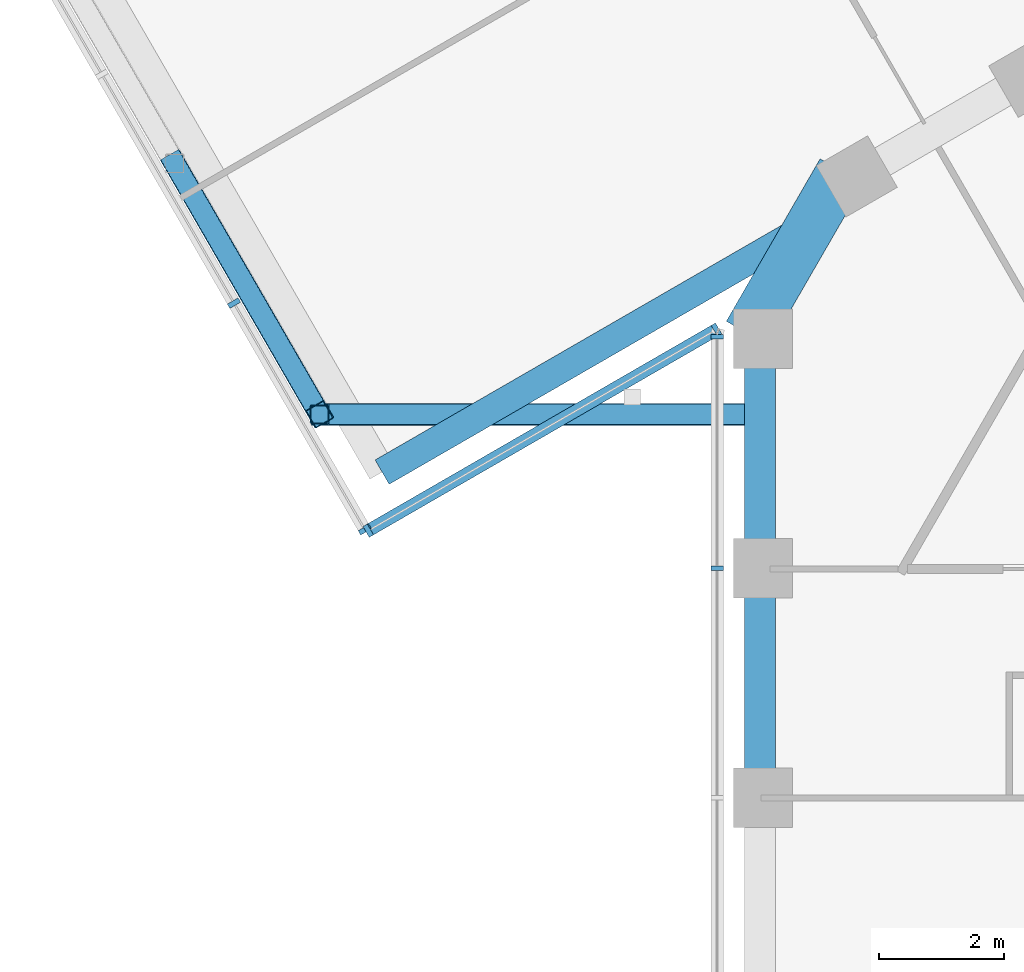
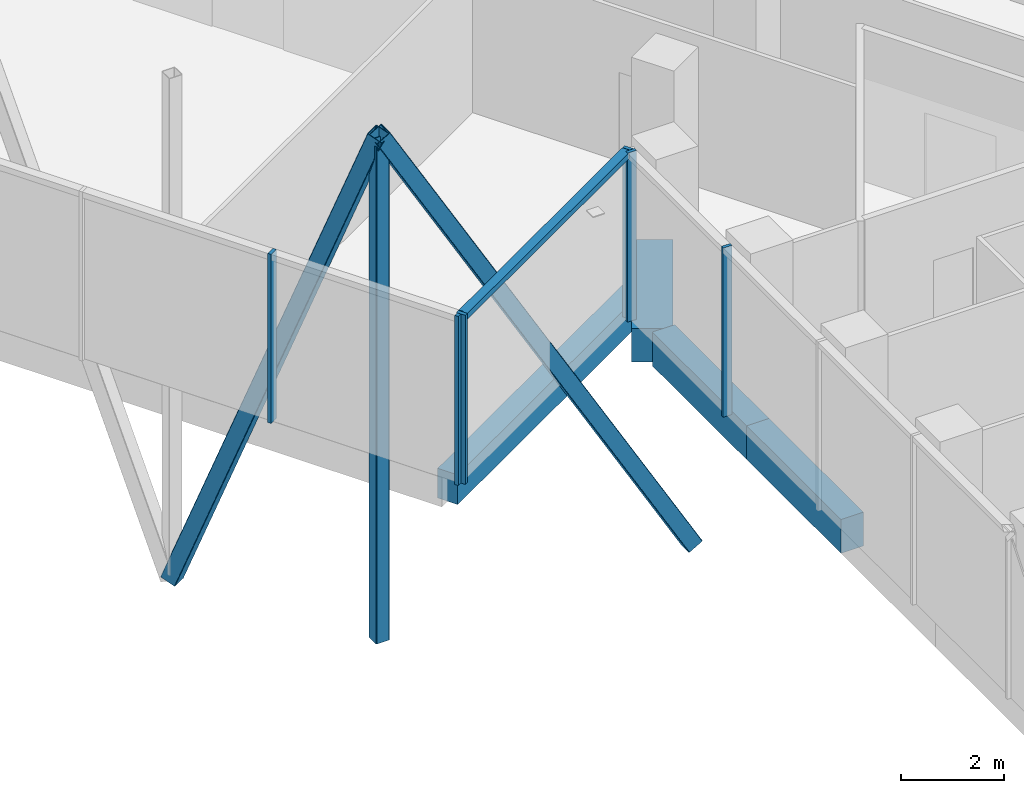
# One storey, part 3 of 21: 10 members, 4 beams, 3 elements without a shape of their own.
"""IFC4 building model written with IfcOpenShell, lengths in metres."""

from ifc_helpers import new_model, si_unit, direction, frame, origin, origin_2d, place, context, subcontext, project, spatial, rectangle, hollow_rectangle, extrude, material, layer, layer_set, material_profile, profile_set, type_object, element, aggregate, save


model = new_model("IFC4")

# Units and contexts
model_context = context("Model", 3, precision=1e-05, world=origin(), true_north=direction((0.0, 1.0)))
body_context = subcontext(model_context, "Body", "Model", "MODEL_VIEW")
ifc_project = project(units=[si_unit("LENGTHUNIT", "METRE"), si_unit("AREAUNIT", "SQUARE_METRE"), si_unit("VOLUMEUNIT", "CUBIC_METRE"), si_unit("PLANEANGLEUNIT", "RADIAN"), si_unit("MASSUNIT", "GRAM", prefix="KILO")], contexts=[model_context])

# Site, building, storey
site_placement = place(None, origin())
site = spatial("IfcSite", under=ifc_project, at=site_placement, CompositionType="ELEMENT")
building_placement = place(site_placement, origin())
building = spatial("IfcBuilding", under=site, at=building_placement, Name="Ayvan Gate Tower", CompositionType="ELEMENT")
storey_placement = place(building_placement, frame((0.0, 0.0, 190.699951171875)))
storey = spatial("IfcBuildingStorey", under=building, at=storey_placement, Name="L51", CompositionType="ELEMENT", Elevation=190.699951171875)

# Beams
ifc_material_1 = material(Name="Concrete C40/50", Category="concrete")
ifc_material_profile_1 = material_profile(ifc_material_1, rectangle(XDim=0.800048828125, YDim=0.800048828125, at=origin_2d()), Name="RC 800x800")
ifc_profile_set_1 = profile_set([ifc_material_profile_1], Name="Concrete C40/50")
beam_type_1 = type_object("IfcBeamType", Name="Corner spandrel beam RC 800x800 C40/50", PredefinedType="BEAM", material=ifc_profile_set_1)
beam_1_placement = place(storey_placement, frame((-16.227783203125, 11.850830078125, -0.800048828125), z_axis=(-0.50002537861, -0.866010750942, 0.0), x_axis=(0.866010750942, -0.50002537861, 0.0)))
element("IfcBeam", 1, at=beam_1_placement, inside=storey, type_object=beam_type_1, Name="SB-L51-18", PredefinedType="BEAM", context=body_context, shape_type="SweptSolid", body=[
    extrude(rectangle(XDim=0.800048828125, YDim=0.800048828125, at=origin_2d()), origin(), (0.0, 0.0, 1.0), 2.999755859375),
])
ifc_material_profile_2 = material_profile(ifc_material_1, rectangle(XDim=0.449951171875, YDim=0.699951171875, at=origin_2d()), Name="RC 450x700")
ifc_profile_set_2 = profile_set([ifc_material_profile_2], Name="Concrete C40/50")
beam_type_2 = type_object("IfcBeamType", Name="Sky bar edge beam RC 450x700 C40/50", PredefinedType="BEAM", material=ifc_profile_set_2)
beam_2_placement = place(storey_placement, frame((-16.90966796875, 10.890625, -0.75), z_axis=(-0.86603988112, -0.499974923682, 0.0), x_axis=(0.499974923682, -0.86603988112, 0.0)))
element("IfcBeam", 2, at=beam_2_placement, inside=storey, type_object=beam_type_2, Name="EB-B4-L51-1", PredefinedType="BEAM", context=body_context, shape_type="SweptSolid", body=[
    extrude(rectangle(XDim=0.449951171875, YDim=0.699951171875, at=origin_2d()), origin(), (0.0, 0.0, 1.0), 7.701171875),
])

# Members
ifc_material_2 = material(Name="Steel S460NH", Category="steel")
ifc_material_profile_3 = material_profile(ifc_material_2, hollow_rectangle(XDim=0.35009765625, YDim=0.35009765625, WallThickness=0.01416015625, InnerFilletRadius=0.01416015625, OuterFilletRadius=0.021240234375, at=origin_2d()), Name="RHS 350x350x14.2")
ifc_profile_set_3 = profile_set([ifc_material_profile_3], Name="Steel S460NH")
member_type_1 = type_object("IfcMemberType", Name="Sky bar truss brace B4 RHS 350x350x14.2", PredefinedType="BRACE", material=ifc_profile_set_3)
member_1_placement = place(storey_placement, frame((-17.593017578125, 7.963623046875, -4.724853515625), z_axis=(-0.500051676152, 0.0, 0.865995566488), x_axis=(0.0, -1.0, 0.0)))
element("IfcMember", 3, at=member_1_placement, inside=storey, type_object=member_type_1, Name="SBX4-A-D-1", PredefinedType="BRACE", context=body_context, shape_type="SweptSolid", body=[
    extrude(hollow_rectangle(XDim=0.35009765625, YDim=0.35009765625, WallThickness=0.01416015625, InnerFilletRadius=0.01416015625, OuterFilletRadius=0.021240234375, at=origin_2d()), origin(), (0.0, 0.0, 1.0), 13.97216796875),
])
member_2_placement = place(storey_placement, frame((-24.579833984375, 7.963623046875, 7.375), z_axis=(-0.178801006149, 0.309684322485, -0.933876769497), x_axis=(-0.866019737675, -0.500009813861, 0.0)))
element("IfcMember", 4, at=member_2_placement, inside=storey, type_object=member_type_1, Name="SBX4-A-D-2", PredefinedType="BRACE", context=body_context, shape_type="SweptSolid", body=[
    extrude(hollow_rectangle(XDim=0.35009765625, YDim=0.35009765625, WallThickness=0.01416015625, InnerFilletRadius=0.01416015625, OuterFilletRadius=0.021240234375, at=origin_2d()), origin(), (0.0, 0.0, 1.0), 12.95654296875),
])
ifc_material_profile_4 = material_profile(ifc_material_2, hollow_rectangle(XDim=0.300048828125, YDim=0.300048828125, WallThickness=0.01416015625, InnerFilletRadius=0.01416015625, OuterFilletRadius=0.021240234375, at=origin_2d()), Name="RHS 300x300x14.2")
ifc_profile_set_4 = profile_set([ifc_material_profile_4], Name="Steel S460NH")
member_type_2 = type_object("IfcMemberType", Name="Sky bar truss post B4 RHS 300x300x14.2", PredefinedType="POST", material=ifc_profile_set_4)
member_3_placement = place(storey_placement, frame((-24.579833984375, 7.963623046875, -4.550048828125), z_axis=(0.0, 0.0, 1.0), x_axis=(1.0, 0.0, 0.0)))
element("IfcMember", 5, at=member_3_placement, inside=storey, type_object=member_type_2, Name="SBX4-A-P-1", PredefinedType="POST", context=body_context, shape_type="SweptSolid", body=[
    extrude(hollow_rectangle(XDim=0.300048828125, YDim=0.300048828125, WallThickness=0.01416015625, InnerFilletRadius=0.01416015625, OuterFilletRadius=0.021240234375, at=origin_2d()), origin(), (0.0, 0.0, 1.0), 11.75),
])

# Beams
ifc_material_profile_5 = material_profile(ifc_material_1, rectangle(XDim=0.5, YDim=0.800048828125, at=origin_2d()), Name="RC 500x800")
ifc_profile_set_5 = profile_set([ifc_material_profile_5], Name="Concrete C40/50")
beam_type_3 = type_object("IfcBeamType", Name="Spandrel beam RC 500x800 C40/50", PredefinedType="BEAM", material=ifc_profile_set_5)
beam_3_placement = place(storey_placement, frame((-17.537109375, 9.142822265625, -0.800048828125), z_axis=(0.0, -1.0, 0.0), x_axis=(1.0, 0.0, 0.0)))
element("IfcBeam", 6, at=beam_3_placement, inside=storey, type_object=beam_type_3, Name="SB-L51-19", PredefinedType="BEAM", context=body_context, shape_type="SweptSolid", body=[
    extrude(rectangle(XDim=0.5, YDim=0.800048828125, at=origin_2d()), origin(), (0.0, 0.0, 1.0), 3.6572265625),
])
beam_4_placement = place(storey_placement, frame((-17.537109375, 5.485595703125, -0.800048828125), z_axis=(0.0, -1.0, 0.0), x_axis=(1.0, 0.0, 0.0)))
element("IfcBeam", 7, at=beam_4_placement, inside=storey, type_object=beam_type_3, Name="SB-L51-20", PredefinedType="BEAM", context=body_context, shape_type="SweptSolid", body=[
    extrude(rectangle(XDim=0.5, YDim=0.800048828125, at=origin_2d()), origin(), (0.0, 0.0, 1.0), 3.656982421875),
])

# Curtain wall, members
ifc_material_3 = material(Name="Bronze anodised aluminium", Category="aluminium")
ifc_layer_1 = layer(ifc_material_3, 0.199951171875)
ifc_layer_set_1 = layer_set([ifc_layer_1], Name="Bronze anodised aluminium")
curtain_wall_type_1 = type_object("IfcCurtainWallType", Name="Stick curtain wall CW-2", PredefinedType="NOTDEFINED", material=ifc_layer_set_1)
curtain_wall_1_placement = place(storey_placement, origin())
curtain_wall_1 = element("IfcCurtainWall", 8, at=curtain_wall_1_placement, inside=storey, type_object=curtain_wall_type_1, Name="Stick curtain wall CW-2 L51", PredefinedType="NOTDEFINED")
ifc_material_profile_6 = material_profile(ifc_material_3, rectangle(XDim=0.199951171875, YDim=0.070068359375, at=origin_2d()), Name="Stick curtain wall CW-2 mullion 200 x 70")
ifc_profile_set_6 = profile_set([ifc_material_profile_6], Name="Bronze anodised aluminium")
member_type_3 = type_object("IfcMemberType", Name="Stick curtain wall CW-2 mullion 200 x 70", PredefinedType="MULLION", material=ifc_profile_set_6)
member_4_placement = place(storey_placement, frame((-18.22314453125, 9.2080078125, 0.0), z_axis=(0.0, 0.0, 1.0), x_axis=(-1.0, 0.0, 0.0)))
member_4 = element("IfcMember", 9, at=member_4_placement, type_object=member_type_3, Name="CW-2 mullion 1", PredefinedType="MULLION", context=body_context, shape_type="SweptSolid", body=[
    extrude(rectangle(XDim=0.199951171875, YDim=0.070068359375, at=origin_2d()), origin(), (0.0, 0.0, 1.0), 4.0),
])
member_5_placement = place(storey_placement, frame((-18.22314453125, 5.503173828125, 0.0), z_axis=(0.0, 0.0, 1.0), x_axis=(-1.0, 0.0, 0.0)))
member_5 = element("IfcMember", 10, at=member_5_placement, type_object=member_type_3, Name="CW-2 mullion 2", PredefinedType="MULLION", context=body_context, shape_type="SweptSolid", body=[
    extrude(rectangle(XDim=0.199951171875, YDim=0.070068359375, at=origin_2d()), origin(), (0.0, 0.0, 1.0), 4.0),
])
aggregate(curtain_wall_1, [member_4, member_5])

ifc_layer_2 = layer(ifc_material_3, 0.199951171875)
ifc_layer_set_2 = layer_set([ifc_layer_2], Name="Bronze anodised aluminium")
curtain_wall_type_2 = type_object("IfcCurtainWallType", Name="Stick curtain wall CW-4", PredefinedType="NOTDEFINED", material=ifc_layer_set_2)
curtain_wall_2_placement = place(storey_placement, origin())
curtain_wall_2 = element("IfcCurtainWall", 11, at=curtain_wall_2_placement, inside=storey, type_object=curtain_wall_type_2, Name="Stick curtain wall CW-4 L51", PredefinedType="NOTDEFINED")
ifc_material_profile_7 = material_profile(ifc_material_3, rectangle(XDim=0.199951171875, YDim=0.080078125, at=origin_2d()), Name="Stick curtain wall CW-4 mullion 200 x 80")
ifc_profile_set_7 = profile_set([ifc_material_profile_7], Name="Bronze anodised aluminium")
member_type_4 = type_object("IfcMemberType", Name="Stick curtain wall CW-4 mullion 200 x 80", PredefinedType="MULLION", material=ifc_profile_set_7)
member_6_placement = place(storey_placement, frame((-25.94775390625, 9.742919921875, 0.0), z_axis=(0.0, 0.0, 1.0), x_axis=(-0.866025403784, -0.5, 0.0)))
member_6 = element("IfcMember", 12, at=member_6_placement, type_object=member_type_4, Name="CW-4 mullion 4", PredefinedType="MULLION", context=body_context, shape_type="SweptSolid", body=[
    extrude(rectangle(XDim=0.199951171875, YDim=0.080078125, at=origin_2d()), origin(), (0.0, 0.0, 1.0), 4.0),
])
member_7_placement = place(storey_placement, frame((-23.855224609375, 6.11865234375, 0.0), z_axis=(0.0, 0.0, 1.0), x_axis=(-0.866025403784, -0.5, 0.0)))
member_7 = element("IfcMember", 13, at=member_7_placement, type_object=member_type_4, Name="CW-4 mullion 5", PredefinedType="MULLION", context=body_context, shape_type="SweptSolid", body=[
    extrude(rectangle(XDim=0.199951171875, YDim=0.080078125, at=origin_2d()), origin(), (0.0, 0.0, 1.0), 4.0),
])
aggregate(curtain_wall_2, [member_6, member_7])

curtain_wall_3_placement = place(storey_placement, origin())
curtain_wall_3 = element("IfcCurtainWall", 14, at=curtain_wall_3_placement, inside=storey, type_object=curtain_wall_type_2, Name="Stick curtain wall CW-4 L51", PredefinedType="NOTDEFINED")
member_8_placement = place(storey_placement, frame((-23.80078125, 6.10400390625, 0.0), z_axis=(0.0, 0.0, 1.0), x_axis=(0.5, -0.866025403784, 0.0)))
member_8 = element("IfcMember", 15, at=member_8_placement, type_object=member_type_4, Name="CW-4 mullion 1", PredefinedType="MULLION", context=body_context, shape_type="SweptSolid", body=[
    extrude(rectangle(XDim=0.199951171875, YDim=0.080078125, at=origin_2d()), origin(), (0.0, 0.0, 1.0), 4.0),
])
member_9_placement = place(storey_placement, frame((-18.232177734375, 9.31884765625, 0.0), z_axis=(0.0, 0.0, 1.0), x_axis=(0.5, -0.866025403784, 0.0)))
member_9 = element("IfcMember", 16, at=member_9_placement, type_object=member_type_4, Name="CW-4 mullion 2", PredefinedType="MULLION", context=body_context, shape_type="SweptSolid", body=[
    extrude(rectangle(XDim=0.199951171875, YDim=0.080078125, at=origin_2d()), origin(), (0.0, 0.0, 1.0), 4.0),
])
ifc_material_profile_8 = material_profile(ifc_material_3, rectangle(XDim=0.199951171875, YDim=0.139892578125, at=origin_2d()), Name="Stick curtain wall CW-4 transom 200 x 140")
ifc_profile_set_8 = profile_set([ifc_material_profile_8], Name="Bronze anodised aluminium")
member_type_5 = type_object("IfcMemberType", Name="Stick curtain wall CW-4 transom 200 x 140", PredefinedType="USERDEFINED", material=ifc_profile_set_8)
member_10_placement = place(storey_placement, frame((-23.80078125, 6.10400390625, 3.929931640625), z_axis=(0.866038265223, 0.499977722673, 0.0), x_axis=(-0.499977722673, 0.866038265223, 0.0)))
member_10 = element("IfcMember", 17, at=member_10_placement, type_object=member_type_5, Name="CW-4 transom 1", ObjectType="TRANSOM", PredefinedType="USERDEFINED", context=body_context, shape_type="SweptSolid", body=[
    extrude(rectangle(XDim=0.199951171875, YDim=0.139892578125, at=origin_2d()), origin(), (0.0, 0.0, 1.0), 6.429931640625),
])
aggregate(curtain_wall_3, [member_8, member_9, member_10])

save(model, "model.ifc")
